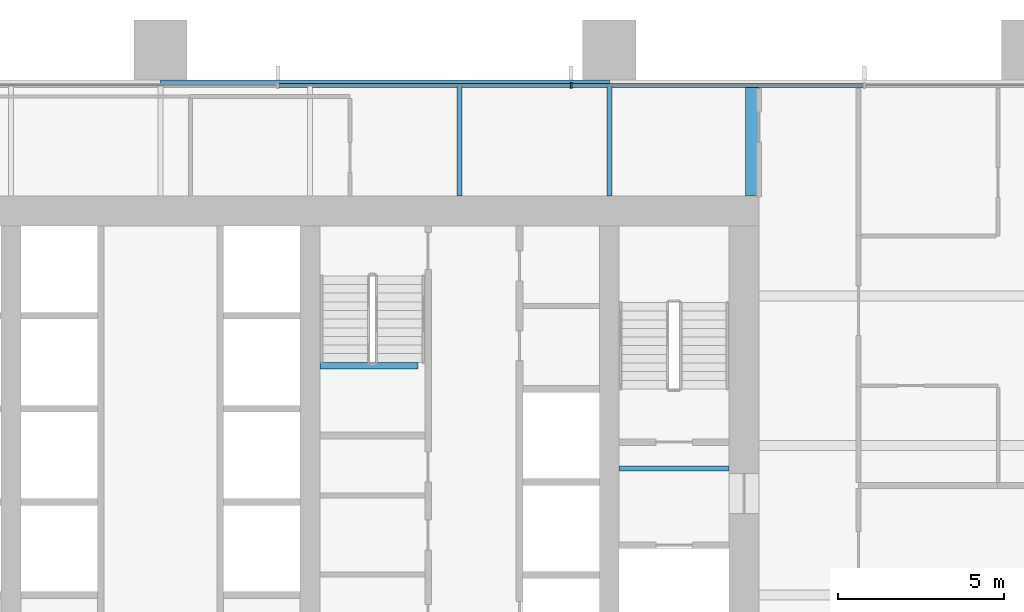
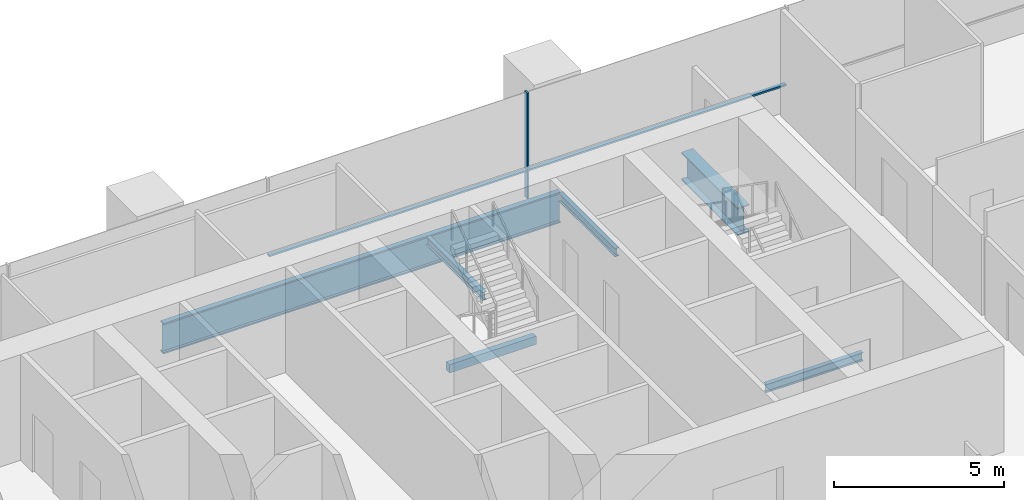
# One storey, part 9 of 17: 6 beams, 3 members, 1 element without a shape of its own.
"""IFC4 building model written with IfcOpenShell, lengths in metres."""

from ifc_helpers import new_model, si_unit, direction, frame, origin, origin_2d, place, context, subcontext, project, spatial, rectangle, i_section, extrude, material, material_profile, profile_set, type_object, element, aggregate, save


model = new_model("IFC4")

# Units and contexts
model_context = context("Model", 3, precision=1e-05, world=origin(), true_north=direction((0.0, 1.0)))
body_context = subcontext(model_context, "Body", "Model", "MODEL_VIEW")
ifc_project = project(units=[si_unit("LENGTHUNIT", "METRE"), si_unit("AREAUNIT", "SQUARE_METRE"), si_unit("VOLUMEUNIT", "CUBIC_METRE"), si_unit("PLANEANGLEUNIT", "RADIAN"), si_unit("MASSUNIT", "GRAM", prefix="KILO")], contexts=[model_context])

# Site, building, storey
site_placement = place(None, origin())
site = spatial("IfcSite", under=ifc_project, at=site_placement, CompositionType="ELEMENT")
building_placement = place(site_placement, origin())
building = spatial("IfcBuilding", under=site, at=building_placement, Name="Rattan Terrace Tower", CompositionType="ELEMENT")
storey_placement = place(building_placement, frame((0.0, 0.0, 107.699951171875)))
storey = spatial("IfcBuildingStorey", under=building, at=storey_placement, Name="L24", CompositionType="ELEMENT", Elevation=107.699951171875)

# Beam
ifc_material_1 = material(Name="Concrete C40/50", Category="concrete")
ifc_material_profile_1 = material_profile(ifc_material_1, rectangle(XDim=0.199951171875, YDim=0.300048828125, at=origin_2d()), Name="RC 200x300")
ifc_profile_set_1 = profile_set([ifc_material_profile_1], Name="Concrete C40/50")
beam_type_1 = type_object("IfcBeamType", Name="Core landing beam RC 200x300", PredefinedType="BEAM", material=ifc_profile_set_1)
beam_1_placement = place(storey_placement, frame((4.800048828125, 2.39990234375, 1.650146484375), z_axis=(1.0, 0.0, 0.0), x_axis=(0.0, 1.0, 0.0)))
element("IfcBeam", 1, at=beam_1_placement, inside=storey, type_object=beam_type_1, Name="st-S3-L24 landing 1 edge beam", PredefinedType="BEAM", context=body_context, shape_type="SweptSolid", body=[
    extrude(rectangle(XDim=0.199951171875, YDim=0.300048828125, at=origin_2d()), origin(), (0.0, 0.0, 1.0), 2.949951171875),
])

# Curtain wall, members
ifc_material_2 = material(Name="Aluminium and glass", Category="aluminium")
curtain_wall_type = type_object("IfcCurtainWallType", Name="Facade Unitised Curtain Wall", PredefinedType="NOTDEFINED", material=ifc_material_2)
curtain_wall_placement = place(storey_placement, origin())
curtain_wall = element("IfcCurtainWall", 2, at=curtain_wall_placement, inside=storey, type_object=curtain_wall_type, Name="Curtain wall L24-2", PredefinedType="NOTDEFINED")
ifc_material_3 = material(Name="Aluminium", Category="aluminium")
ifc_material_profile_2 = material_profile(ifc_material_3, rectangle(XDim=0.06005859375, YDim=0.159912109375, at=origin_2d()), Name="Aluminium 60x160")
ifc_profile_set_2 = profile_set([ifc_material_profile_2], Name="Aluminium")
member_type_1 = type_object("IfcMemberType", Name="Facade CW Mullion 60x160", PredefinedType="MULLION", material=ifc_profile_set_2)
member_1_placement = place(storey_placement, frame((12.35400390625, 10.830078125, 0.0), z_axis=(0.0, 0.0, 1.0), x_axis=(-1.0, 0.0, 0.0)))
member_1 = element("IfcMember", 3, at=member_1_placement, type_object=member_type_1, Name="Mullion cwl-L24-002.3", PredefinedType="MULLION", context=body_context, shape_type="SweptSolid", body=[
    extrude(rectangle(XDim=0.06005859375, YDim=0.159912109375, at=origin_2d()), origin(), (0.0, 0.0, 1.0), 3.800048828125),
])
ifc_material_4 = material(Name="Aluminium", Category="aluminium")
ifc_material_profile_3 = material_profile(ifc_material_4, rectangle(XDim=0.1201171875, YDim=0.06005859375, at=origin_2d()), Name="Aluminium 120x60")
ifc_profile_set_3 = profile_set([ifc_material_profile_3], Name="Aluminium")
member_type_2 = type_object("IfcMemberType", Name="Facade CW Transom 120x60", PredefinedType="USERDEFINED", material=ifc_profile_set_3)
member_2_placement = place(storey_placement, frame((21.14697265625, 10.830078125, 1.0), z_axis=(-1.0, 0.0, 0.0), x_axis=(0.0, -1.0, 0.0)))
member_2 = element("IfcMember", 4, at=member_2_placement, type_object=member_type_2, Name="Transom cwl-L24-002.2", ObjectType="TRANSOM", PredefinedType="USERDEFINED", context=body_context, shape_type="SweptSolid", body=[
    extrude(rectangle(XDim=0.1201171875, YDim=0.06005859375, at=origin_2d()), origin(), (0.0, 0.0, 1.0), 8.762939453125),
])
member_3_placement = place(storey_placement, frame((12.323974609375, 10.830078125, 1.0), z_axis=(-1.0, 0.0, 0.0), x_axis=(0.0, -1.0, 0.0)))
member_3 = element("IfcMember", 5, at=member_3_placement, type_object=member_type_2, Name="Transom cwl-L24-002.3", ObjectType="TRANSOM", PredefinedType="USERDEFINED", context=body_context, shape_type="SweptSolid", body=[
    extrude(rectangle(XDim=0.1201171875, YDim=0.06005859375, at=origin_2d()), origin(), (0.0, 0.0, 1.0), 8.762939453125),
])
aggregate(curtain_wall, [member_1, member_2, member_3])

# Beams
ifc_material_5 = material(Name="Steel S460", Category="steel")
ifc_material_profile_4 = material_profile(ifc_material_5, i_section(OverallWidth=0.39990234375, OverallDepth=1.0, WebThickness=0.01806640625, FlangeThickness=0.044921875, at=origin_2d()), Name="PG 1000x400-18-45")
ifc_profile_set_4 = profile_set([ifc_material_profile_4], Name="Steel S460")
beam_type_2 = type_object("IfcBeamType", Name="Frame core girder PG 1000x400-18-45", PredefinedType="BEAM", material=ifc_profile_set_4)
beam_2_placement = place(storey_placement, frame((17.800048828125, 7.5, -0.699951171875), z_axis=(0.0, 1.0, 0.0), x_axis=(-1.0, 0.0, 0.0)))
element("IfcBeam", 6, at=beam_2_placement, inside=storey, type_object=beam_type_2, Name="gdr-L24-010", PredefinedType="BEAM", context=body_context, shape_type="SweptSolid", body=[
    extrude(i_section(OverallWidth=0.39990234375, OverallDepth=1.0, WebThickness=0.01806640625, FlangeThickness=0.044921875, at=origin_2d()), origin(), (0.0, 0.0, 1.0), 3.320068359375),
])
ifc_material_6 = material(Name="Steel S460", Category="steel")
ifc_material_profile_5 = material_profile(ifc_material_6, i_section(OverallWidth=0.179931640625, OverallDepth=1.10009765625, WebThickness=0.01611328125, FlangeThickness=0.050048828125, at=origin_2d()), Name="PG 1100x180-16-50")
ifc_profile_set_5 = profile_set([ifc_material_profile_5], Name="Steel S460")
beam_type_3 = type_object("IfcBeamType", Name="Frame edge girder PG 1100x180-16-50", PredefinedType="SPANDREL", material=ifc_profile_set_5)
beam_3_placement = place(storey_placement, frame((13.5, 10.909912109375, -0.75), z_axis=(-1.0, 0.0, 0.0), x_axis=(0.0, -1.0, 0.0)))
element("IfcBeam", 7, at=beam_3_placement, inside=storey, type_object=beam_type_3, Name="gdr-L24-007", PredefinedType="SPANDREL", context=body_context, shape_type="SweptSolid", body=[
    extrude(i_section(OverallWidth=0.179931640625, OverallDepth=1.10009765625, WebThickness=0.01611328125, FlangeThickness=0.050048828125, at=origin_2d()), origin(), (0.0, 0.0, 1.0), 13.5),
])
ifc_material_7 = material(Name="Steel S355", Category="steel")
ifc_material_profile_6 = material_profile(ifc_material_7, i_section(OverallWidth=0.14990234375, OverallDepth=0.300048828125, WebThickness=0.007080078125, FlangeThickness=0.0107421875, FilletRadius=0.014892578125, at=origin_2d()), Name="IPE 300")
ifc_profile_set_6 = profile_set([ifc_material_profile_6], Name="Steel S355")
beam_type_4 = type_object("IfcBeamType", Name="Frame floor beam IPE 300", PredefinedType="JOIST", material=ifc_profile_set_6)
beam_4_placement = place(storey_placement, frame((13.800048828125, -0.695068359375, -0.349853515625), z_axis=(1.0, 0.0, 0.0), x_axis=(0.0, 1.0, 0.0)))
element("IfcBeam", 8, at=beam_4_placement, inside=storey, type_object=beam_type_4, Name="bm-L24-002", PredefinedType="JOIST", context=body_context, shape_type="SweptSolid", body=[
    extrude(i_section(OverallWidth=0.14990234375, OverallDepth=0.300048828125, WebThickness=0.007080078125, FlangeThickness=0.0107421875, FilletRadius=0.014892578125, at=origin_2d()), origin(), (0.0, 0.0, 1.0), 3.300048828125),
])
for number, where, z_axis, x_axis, name in (
    (9, (9.0, 7.5, -0.349853515625), (0.0, 1.0, 0.0), (-1.0, 0.0, 0.0), "bm-L24-023"),
    (10, (13.5, 7.5, -0.349853515625), (0.0, 1.0, 0.0), (-1.0, 0.0, 0.0), "bm-L24-024"),
):
    element("IfcBeam", number, at=place(storey_placement, frame(where, z_axis=z_axis, x_axis=x_axis)), inside=storey, type_object=beam_type_4, Name=name, PredefinedType="JOIST", context=body_context, shape_type="SweptSolid", body=[
        extrude(i_section(OverallWidth=0.14990234375, OverallDepth=0.300048828125, WebThickness=0.007080078125, FlangeThickness=0.0107421875, FilletRadius=0.014892578125, at=origin_2d()), origin(), (0.0, 0.0, 1.0), 3.320068359375),
    ])

save(model, "model.ifc")
